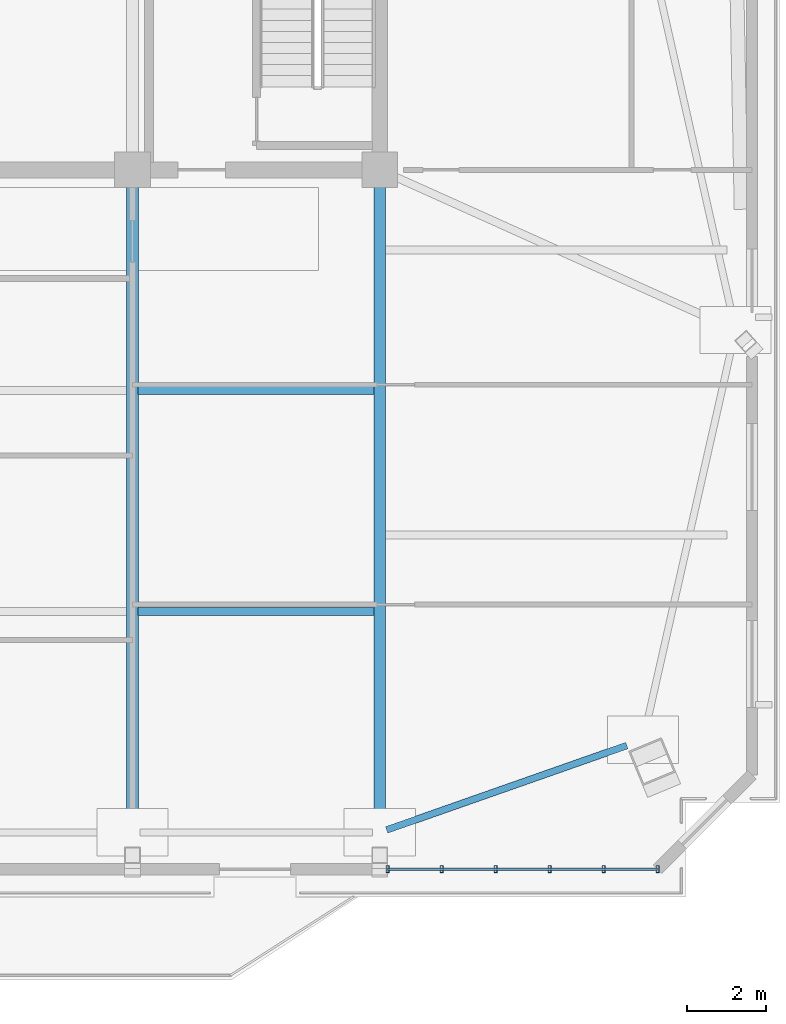
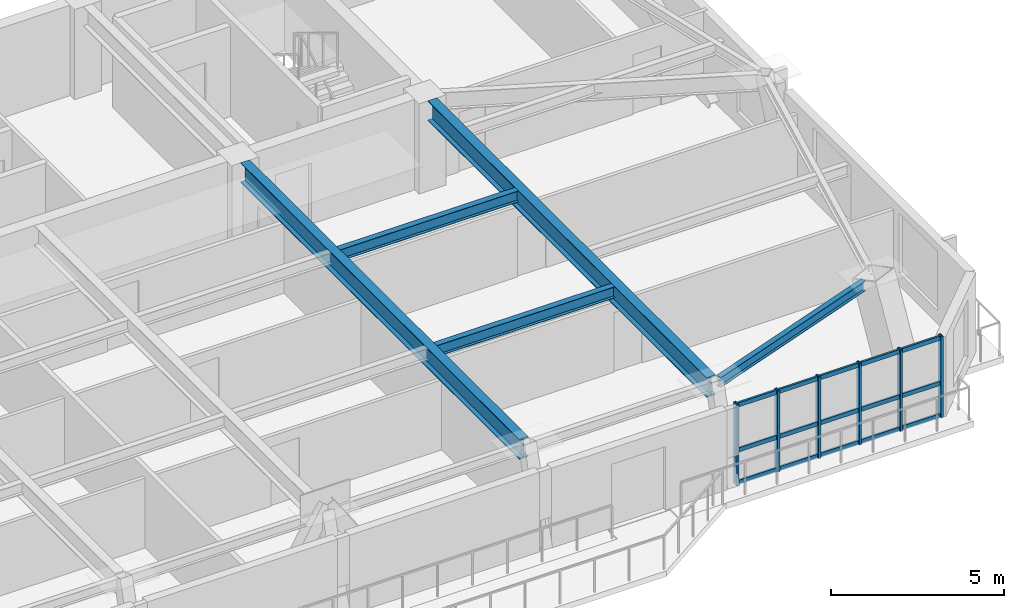
# One storey, part 4 of 14: 9 members, 5 beams, 1 element without a shape of its own.
"""IFC4 building model written with IfcOpenShell, lengths in metres."""

import ifcopenshell
import ifcopenshell.guid

model = None  # the IFC model being written
_history = None  # IfcOwnerHistory: only IFC2X3 demands one
_inside = {}  # id of a spatial element -> (the spatial element, [elements in it])
_under = {}  # id of a project, library or spatial element -> (it, [spatial elements below it])
_declared = {}  # id of a project -> (the project, [libraries it declares])
_typed = {}  # id of a type object -> (the type object, [elements of that type])
_made_of = {}  # id of a material, layer set ... -> (it, [elements and type objects made of it])


def new_model(schema):
    """Start an empty IFC model of exactly this schema.

    Asked for "IFC4X3", IfcOpenShell would pick the latest addendum, in which some entities
    have other attributes; the version numbers below select the first issue.
    IFC2X3 requires an IfcOwnerHistory on every rooted entity: one is made here for all.
    """
    global model, _history
    if schema == "IFC4X3":
        model = ifcopenshell.file(schema_version=(4, 3, 0, 0))
    else:
        model = ifcopenshell.file(schema=schema)
    _inside.clear()
    _under.clear()
    _declared.clear()
    _typed.clear()
    _made_of.clear()
    _history = None
    if model.schema == "IFC2X3":
        org = make("IfcOrganization", Name="unknown")
        user = make(
            "IfcPersonAndOrganization",
            ThePerson=make("IfcPerson", FamilyName="unknown"),
            TheOrganization=org,
        )
        app = make(
            "IfcApplication",
            ApplicationDeveloper=org,
            Version="unknown",
            ApplicationFullName="unknown",
            ApplicationIdentifier="unknown",
        )
        _history = make(
            "IfcOwnerHistory",
            OwningUser=user,
            OwningApplication=app,
            ChangeAction="ADDED",
            CreationDate=0,
        )
    return model


def make(cls, **values):
    """One entity of the class cls with the attributes given. An attribute that is None is left unset."""
    return model.create_entity(
        cls, **{name: value for name, value in values.items() if value is not None}
    )


def rooted(cls, **values):
    """An entity with a GlobalId (a new one), such as an element, a storey or a relation."""
    return make(cls, GlobalId=ifcopenshell.guid.new(), OwnerHistory=_history, **values)


def si_unit(unit_type, name, prefix=None):
    """IfcSIUnit, for example si_unit("LENGTHUNIT", "METRE", prefix="MILLI")."""
    return make("IfcSIUnit", UnitType=unit_type, Prefix=prefix, Name=name)


def assignment(units):
    """IfcUnitAssignment: the units of a project."""
    return None if units is None else make("IfcUnitAssignment", Units=units)


def point(xyz):
    """IfcCartesianPoint."""
    return None if xyz is None else make("IfcCartesianPoint", Coordinates=xyz)


def direction(xyz):
    """IfcDirection."""
    return None if xyz is None else make("IfcDirection", DirectionRatios=xyz)


def frame(location, z_axis=None, x_axis=None):
    """IfcAxis2Placement3D, a coordinate frame: its origin and axes. An axis left out is left unset."""
    return make(
        "IfcAxis2Placement3D",
        Location=point(location),
        Axis=direction(z_axis),
        RefDirection=direction(x_axis),
    )


def frame_2d(location, x_axis=None):
    """IfcAxis2Placement2D, a coordinate frame in the plane: its origin and x axis."""
    return make(
        "IfcAxis2Placement2D", Location=point(location), RefDirection=direction(x_axis)
    )


def origin():
    """The frame at (0, 0, 0) with its axes left unset."""
    return frame((0.0, 0.0, 0.0))


def origin_2d():
    """The frame at (0, 0) in the plane with its x axis left unset."""
    return frame_2d((0.0, 0.0))


def place(relative_to, where):
    """IfcLocalPlacement: puts the frame where relative to a parent placement (None: the world)."""
    return make(
        "IfcLocalPlacement", PlacementRelTo=relative_to, RelativePlacement=where
    )


def context(
    kind, dimensions, precision=None, world=None, true_north=None, identifier=None
):
    """IfcGeometricRepresentationContext, for example the 3D "Model" context."""
    return make(
        "IfcGeometricRepresentationContext",
        ContextIdentifier=identifier,
        ContextType=kind,
        CoordinateSpaceDimension=dimensions,
        Precision=precision,
        WorldCoordinateSystem=world,
        TrueNorth=true_north,
    )


def subcontext(parent, identifier, kind, view, scale=None):
    """IfcGeometricRepresentationSubContext, for example "Body" below "Model"."""
    return make(
        "IfcGeometricRepresentationSubContext",
        ContextIdentifier=identifier,
        ContextType=kind,
        ParentContext=parent,
        TargetScale=scale,
        TargetView=view,
    )


def project(units=None, contexts=None):
    """IfcProject with its units and contexts."""
    return rooted(
        "IfcProject",
        Name="project",
        RepresentationContexts=contexts,
        UnitsInContext=assignment(units),
    )


def spatial(cls, under=None, at=None, **own):
    """A site, building, storey or space (cls), placed at a placement, below another one or the project."""
    s = rooted(cls, ObjectPlacement=at, **own)
    if under is not None:
        _under.setdefault(under.id(), (under, []))[1].append(s)
    return s


def profile(cls, at=None, kind="AREA", **sizes):
    """A parametric profile (cls). Its sizes go by their IFC names, for example OverallWidth=200.0."""
    return make(cls, ProfileType=kind, Position=at, **sizes)


def hollow_rectangle(**sizes):
    """IfcRectangleHollowProfileDef."""
    return profile("IfcRectangleHollowProfileDef", **sizes)


def i_section(**sizes):
    """IfcIShapeProfileDef."""
    return profile("IfcIShapeProfileDef", **sizes)


def extrude(swept, where, along, depth):
    """IfcExtrudedAreaSolid: the profile swept, set in the frame where, extruded along a direction by depth."""
    return make(
        "IfcExtrudedAreaSolid",
        SweptArea=swept,
        Position=where,
        ExtrudedDirection=direction(along),
        Depth=depth,
    )


def shape(context_of_items, identifier, shape_type, items):
    """IfcShapeRepresentation: the items that make up one representation, for example the "Body"."""
    return make(
        "IfcShapeRepresentation",
        ContextOfItems=context_of_items,
        RepresentationIdentifier=identifier,
        RepresentationType=shape_type,
        Items=items,
    )


def source(mapping_origin, context_of_items, identifier, shape_type, items):
    """IfcRepresentationMap: a shape defined once, which mapped items show again and again."""
    return make(
        "IfcRepresentationMap",
        MappingOrigin=mapping_origin,
        MappedRepresentation=shape(context_of_items, identifier, shape_type, items),
    )


def transform(
    local_origin,
    x_axis=None,
    y_axis=None,
    z_axis=None,
    scale=None,
    scale2=None,
    scale3=None,
    uniform=True,
):
    """IfcCartesianTransformationOperator3D, or its non-uniform kind. x_axis, y_axis, z_axis: its Axis1, 2, 3."""
    if uniform:
        return make(
            "IfcCartesianTransformationOperator3D",
            Axis1=direction(x_axis),
            Axis2=direction(y_axis),
            LocalOrigin=point(local_origin),
            Scale=scale,
            Axis3=direction(z_axis),
        )
    return make(
        "IfcCartesianTransformationOperator3DnonUniform",
        Axis1=direction(x_axis),
        Axis2=direction(y_axis),
        LocalOrigin=point(local_origin),
        Scale=scale,
        Axis3=direction(z_axis),
        Scale2=scale2,
        Scale3=scale3,
    )


def mapped(mapping_source, mapping_target):
    """IfcMappedItem: shows the shape of a source again, moved by a transform."""
    return make(
        "IfcMappedItem", MappingSource=mapping_source, MappingTarget=mapping_target
    )


def material(Name=None, Category=None):
    """IfcMaterial."""
    return make("IfcMaterial", Name=Name, Category=Category)


def layer(
    of_material, thickness, ventilated=None, Name=None, Category=None, Priority=None
):
    """IfcMaterialLayer: one layer of a wall or slab, of a material (None: an air gap)."""
    return make(
        "IfcMaterialLayer",
        Material=of_material,
        LayerThickness=thickness,
        IsVentilated=ventilated,
        Name=Name,
        Category=Category,
        Priority=Priority,
    )


def layer_set(layers, Name=None):
    """IfcMaterialLayerSet."""
    return make("IfcMaterialLayerSet", MaterialLayers=layers, LayerSetName=Name)


def material_profile(
    of_material, cross_section, Name=None, Category=None, Priority=None
):
    """IfcMaterialProfile: a cross section and its material."""
    return make(
        "IfcMaterialProfile",
        Name=Name,
        Material=of_material,
        Profile=cross_section,
        Priority=Priority,
        Category=Category,
    )


def profile_set(profiles, Name=None, composite=None):
    """IfcMaterialProfileSet."""
    return make(
        "IfcMaterialProfileSet",
        Name=Name,
        MaterialProfiles=profiles,
        CompositeProfile=composite,
    )


def made_of(thing, what):
    """Note that an element or type object is made of a material, layer set ...; save() writes the relation."""
    if what is not None:
        _made_of.setdefault(what.id(), (what, []))[1].append(thing)
    return thing


def type_object(cls, material=None, **own):
    """A type object (cls), such as IfcWallType, which elements share."""
    return made_of(rooted(cls, **own), material)


def element(
    cls,
    number,
    at=None,
    inside=None,
    cuts=None,
    type_object=None,
    material=None,
    context=None,
    identifier="Body",
    shape_type=None,
    held_by="IfcProductDefinitionShape",
    body=None,
    shapes=None,
    **own,
):
    """One element of the class cls, such as IfcWall. Its Tag is "e" and its number.

    at: its placement. inside: the storey or other place that contains it. cuts: it is an
    opening in that element (IfcRelVoidsElement). A single representation is given by context,
    identifier, shape_type and body (its items); several are given by shapes. held_by: the class
    of the entity that holds the representations. save() writes the other relations.
    """
    e = rooted(cls, Tag="e%d" % number, ObjectPlacement=at, **own)
    if body is not None:
        shapes = [shape(context, identifier, shape_type, body)]
    if shapes is not None:
        e.Representation = make(held_by, Representations=shapes)
    if inside is not None:
        _inside.setdefault(inside.id(), (inside, []))[1].append(e)
    if cuts is not None:
        rooted(
            "IfcRelVoidsElement", RelatingBuildingElement=cuts, RelatedOpeningElement=e
        )
    if type_object is not None:
        _typed.setdefault(type_object.id(), (type_object, []))[1].append(e)
    return made_of(e, material)


def aggregate(whole, parts):
    """IfcRelAggregates: a whole, such as a stair, and the parts it consists of."""
    return rooted("IfcRelAggregates", RelatingObject=whole, RelatedObjects=parts)


def save(model, path):
    """Write the relations noted so far, then the file.

    IfcRelAggregates (storeys below a building ...), IfcRelContainedInSpatialStructure (elements
    in a storey), IfcRelDefinesByType, IfcRelAssociatesMaterial and IfcRelDeclares: one each for
    every whole, place, type object, material and project.
    """
    for whole, parts in _under.values():
        aggregate(whole, parts)
    for where, things in _inside.values():
        rooted(
            "IfcRelContainedInSpatialStructure",
            RelatedElements=things,
            RelatingStructure=where,
        )
    for kind, things in _typed.values():
        rooted("IfcRelDefinesByType", RelatedObjects=things, RelatingType=kind)
    for what, things in _made_of.values():
        rooted("IfcRelAssociatesMaterial", RelatedObjects=things, RelatingMaterial=what)
    for by, libraries in _declared.values():
        rooted("IfcRelDeclares", RelatingContext=by, RelatedDefinitions=libraries)
    model.write(path)


model = new_model("IFC4")

# Units and contexts
model_context = context("Model", 3, precision=1e-05, world=origin(), true_north=direction((0.0, 1.0)))
body_context = subcontext(model_context, "Body", "Model", "MODEL_VIEW")
ifc_project = project(units=[si_unit("LENGTHUNIT", "METRE"), si_unit("AREAUNIT", "SQUARE_METRE"), si_unit("VOLUMEUNIT", "CUBIC_METRE"), si_unit("PLANEANGLEUNIT", "RADIAN"), si_unit("MASSUNIT", "GRAM", prefix="KILO")], contexts=[model_context])

# Site, building, storey
site_placement = place(None, origin())
site = spatial("IfcSite", under=ifc_project, at=site_placement, CompositionType="ELEMENT")
building_placement = place(site_placement, origin())
building = spatial("IfcBuilding", under=site, at=building_placement, Name="Giltprow Tower", CompositionType="ELEMENT")
storey_placement = place(building_placement, frame((0.0, 0.0, 310.800048828125)))
storey = spatial("IfcBuildingStorey", under=building, at=storey_placement, Name="L80", CompositionType="ELEMENT", Elevation=310.800048828125)

# Beams
ifc_material_1 = material(Name="Structural steel Q355B", Category="steel")
ifc_material_profile_1 = material_profile(ifc_material_1, i_section(OverallWidth=0.199951171875, OverallDepth=0.39990234375, WebThickness=0.008056640625, FlangeThickness=0.012939453125, at=origin_2d()), Name="HN 400x200x8x13")
ifc_profile_set_1 = profile_set([ifc_material_profile_1], Name="Structural steel Q355B")
beam_type_1 = type_object("IfcBeamType", Name="BM-JOIST-HN400", PredefinedType="JOIST", material=ifc_profile_set_1)
shared_shape_1 = source(origin(), body_context, "Body", "SweptSolid", [
    extrude(i_section(OverallWidth=0.199951171875, OverallDepth=0.39990234375, WebThickness=0.008056640625, FlangeThickness=0.012939453125, at=origin_2d()), origin(), (0.0, 0.0, 1.0), 5.9599609375),
])
for number, where, z_axis, x_axis, name in (
    (1, (44.445068359375, 26.285888671875, 2.98486328125), (1.0, 0.0, 0.0), (0.0, 1.0, 0.0), "L80 Composite Floor Joist 1-4"),
    (2, (44.445068359375, 31.867919921875, 2.98486328125), (1.0, 0.0, 0.0), (0.0, 1.0, 0.0), "L80 Composite Floor Joist 2-4"),
):
    element("IfcBeam", number, at=place(storey_placement, frame(where, z_axis=z_axis, x_axis=x_axis)), inside=storey, type_object=beam_type_1, Name=name, PredefinedType="JOIST", context=body_context, shape_type="MappedRepresentation", body=[
        mapped(shared_shape_1, transform((0.0, 0.0, 0.0), x_axis=(1.0, 0.0, 0.0), y_axis=(0.0, 1.0, 0.0), z_axis=(0.0, 0.0, 1.0), scale=1.0)),
    ])
ifc_material_profile_2 = material_profile(ifc_material_1, i_section(OverallWidth=0.175048828125, OverallDepth=0.35009765625, WebThickness=0.007080078125, FlangeThickness=0.010986328125, at=origin_2d()), Name="HN 350x175x7x11")
ifc_profile_set_2 = profile_set([ifc_material_profile_2], Name="Structural steel Q355B")
beam_type_2 = type_object("IfcBeamType", Name="BM-SPAN-HN350", PredefinedType="SPANDREL", material=ifc_profile_set_2)
shared_shape_2 = source(origin(), body_context, "Body", "SweptSolid", [
    extrude(i_section(OverallWidth=0.175048828125, OverallDepth=0.35009765625, WebThickness=0.007080078125, FlangeThickness=0.010986328125, at=origin_2d()), origin(), (0.0, 0.0, 1.0), 6.436767578125),
])
beam_placement = place(storey_placement, frame((50.72509765625, 20.764892578125, 3.010009765625), z_axis=(0.943494118262, 0.331389270804, 0.0), x_axis=(-0.331389270804, 0.943494118262, 0.0)))
element("IfcBeam", 3, at=beam_placement, inside=storey, type_object=beam_type_2, Name="L80 Perimeter Spandrel Beam S4-MC_SE", PredefinedType="SPANDREL", context=body_context, shape_type="MappedRepresentation", body=[
    mapped(shared_shape_2, transform((0.0, 0.0, 0.0), x_axis=(1.0, 0.0, 0.0), y_axis=(0.0, 1.0, 0.0), z_axis=(0.0, 0.0, 1.0), scale=1.0)),
])
ifc_material_profile_3 = material_profile(ifc_material_1, i_section(OverallWidth=0.300048828125, OverallDepth=0.699951171875, WebThickness=0.012939453125, FlangeThickness=0.02392578125, at=origin_2d()), Name="HN 700x300x13x24")
ifc_profile_set_3 = profile_set([ifc_material_profile_3], Name="Structural steel Q355B")
beam_type_3 = type_object("IfcBeamType", Name="BM-GIRD-HN700", PredefinedType="BEAM", material=ifc_profile_set_3)
shared_shape_3 = source(origin(), body_context, "Body", "SweptSolid", [
    extrude(i_section(OverallWidth=0.300048828125, OverallDepth=0.699951171875, WebThickness=0.012939453125, FlangeThickness=0.02392578125, at=origin_2d()), origin(), (0.0, 0.0, 1.0), 16.1259765625),
])
for number, where, z_axis, x_axis, name in (
    (4, (44.300048828125, 20.888916015625, 2.8349609375), (0.0, 1.0, 0.0), (-1.0, 0.0, 0.0), "L80 Primary Lease Girder S3"),
    (5, (50.550048828125, 20.888916015625, 2.8349609375), (0.0, 1.0, 0.0), (-1.0, 0.0, 0.0), "L80 Primary Lease Girder S4"),
):
    element("IfcBeam", number, at=place(storey_placement, frame(where, z_axis=z_axis, x_axis=x_axis)), inside=storey, type_object=beam_type_3, Name=name, PredefinedType="BEAM", context=body_context, shape_type="MappedRepresentation", body=[
        mapped(shared_shape_3, transform((0.0, 0.0, 0.0), x_axis=(1.0, 0.0, 0.0), y_axis=(0.0, 1.0, 0.0), z_axis=(0.0, 0.0, 1.0), scale=1.0)),
    ])

# Curtain wall, members
ifc_material_2 = material(Name="Anodized bronze", Category="metal")
ifc_layer = layer(ifc_material_2, 0.179931640625, Name="Anodized bronze")
ifc_layer_set = layer_set([ifc_layer], Name="Anodized bronze")
curtain_wall_type = type_object("IfcCurtainWallType", Name="CW-RES-SKY", PredefinedType="NOTDEFINED", material=ifc_layer_set)
curtain_wall_placement = place(storey_placement, origin())
curtain_wall = element("IfcCurtainWall", 6, at=curtain_wall_placement, inside=storey, type_object=curtain_wall_type, Name="L80 South Recessed Curtain Wall 6", PredefinedType="NOTDEFINED")
ifc_material_profile_4 = material_profile(ifc_material_2, hollow_rectangle(XDim=0.074951171875, YDim=0.179931640625, WallThickness=0.008056640625, at=origin_2d()), Name="RHS 180x75x8")
ifc_profile_set_4 = profile_set([ifc_material_profile_4], Name="Anodized bronze")
member_type_1 = type_object("IfcMemberType", Name="CW-MULLION-180x75", PredefinedType="MULLION", material=ifc_profile_set_4)
shared_shape_4 = source(origin(), body_context, "Body", "SweptSolid", [
    extrude(hollow_rectangle(XDim=0.074951171875, YDim=0.179931640625, WallThickness=0.008056640625, at=origin_2d()), origin(), (0.0, 0.0, 1.0), 2.869873046875),
])
member_1_placement = place(storey_placement, frame((50.75, 19.77197265625, -0.02001953125), z_axis=(0.0, 0.0, 1.0), x_axis=(1.0, 0.0, 0.0)))
member_1 = element("IfcMember", 7, at=member_1_placement, type_object=member_type_1, Name="L80 South Recessed Curtain Wall 6 Mullion 1", PredefinedType="MULLION", context=body_context, shape_type="MappedRepresentation", body=[
    mapped(shared_shape_4, transform((0.0, 0.0, 0.0), x_axis=(1.0, 0.0, 0.0), y_axis=(0.0, 1.0, 0.0), z_axis=(0.0, 0.0, 1.0), scale=1.0)),
])
member_2_placement = place(storey_placement, frame((52.114990234375, 19.77197265625, -0.02001953125), z_axis=(0.0, 0.0, 1.0), x_axis=(1.0, 0.0, 0.0)))
member_2 = element("IfcMember", 8, at=member_2_placement, type_object=member_type_1, Name="L80 South Recessed Curtain Wall 6 Mullion 2", PredefinedType="MULLION", context=body_context, shape_type="MappedRepresentation", body=[
    mapped(shared_shape_4, transform((0.0, 0.0, 0.0), x_axis=(1.0, 0.0, 0.0), y_axis=(0.0, 1.0, 0.0), z_axis=(0.0, 0.0, 1.0), scale=1.0)),
])
member_3_placement = place(storey_placement, frame((53.47998046875, 19.77197265625, -0.02001953125), z_axis=(0.0, 0.0, 1.0), x_axis=(1.0, 0.0, 0.0)))
member_3 = element("IfcMember", 9, at=member_3_placement, type_object=member_type_1, Name="L80 South Recessed Curtain Wall 6 Mullion 3", PredefinedType="MULLION", context=body_context, shape_type="MappedRepresentation", body=[
    mapped(shared_shape_4, transform((0.0, 0.0, 0.0), x_axis=(1.0, 0.0, 0.0), y_axis=(0.0, 1.0, 0.0), z_axis=(0.0, 0.0, 1.0), scale=1.0)),
])
member_4_placement = place(storey_placement, frame((54.844970703125, 19.77197265625, -0.02001953125), z_axis=(0.0, 0.0, 1.0), x_axis=(1.0, 0.0, 0.0)))
member_4 = element("IfcMember", 10, at=member_4_placement, type_object=member_type_1, Name="L80 South Recessed Curtain Wall 6 Mullion 4", PredefinedType="MULLION", context=body_context, shape_type="MappedRepresentation", body=[
    mapped(shared_shape_4, transform((0.0, 0.0, 0.0), x_axis=(1.0, 0.0, 0.0), y_axis=(0.0, 1.0, 0.0), z_axis=(0.0, 0.0, 1.0), scale=1.0)),
])
member_5_placement = place(storey_placement, frame((56.2099609375, 19.77197265625, -0.02001953125), z_axis=(0.0, 0.0, 1.0), x_axis=(1.0, 0.0, 0.0)))
member_5 = element("IfcMember", 11, at=member_5_placement, type_object=member_type_1, Name="L80 South Recessed Curtain Wall 6 Mullion 5", PredefinedType="MULLION", context=body_context, shape_type="MappedRepresentation", body=[
    mapped(shared_shape_4, transform((0.0, 0.0, 0.0), x_axis=(1.0, 0.0, 0.0), y_axis=(0.0, 1.0, 0.0), z_axis=(0.0, 0.0, 1.0), scale=1.0)),
])
member_6_placement = place(storey_placement, frame((57.574951171875, 19.77197265625, -0.02001953125), z_axis=(0.0, 0.0, 1.0), x_axis=(1.0, 0.0, 0.0)))
member_6 = element("IfcMember", 12, at=member_6_placement, type_object=member_type_1, Name="L80 South Recessed Curtain Wall 6 Mullion 6", PredefinedType="MULLION", context=body_context, shape_type="MappedRepresentation", body=[
    mapped(shared_shape_4, transform((0.0, 0.0, 0.0), x_axis=(1.0, 0.0, 0.0), y_axis=(0.0, 1.0, 0.0), z_axis=(0.0, 0.0, 1.0), scale=1.0)),
])
ifc_material_profile_5 = material_profile(ifc_material_2, hollow_rectangle(XDim=0.06494140625, YDim=0.14990234375, WallThickness=0.006103515625, at=origin_2d()), Name="RHS 150x65x6")
ifc_profile_set_5 = profile_set([ifc_material_profile_5], Name="Anodized bronze")
member_type_2 = type_object("IfcMemberType", Name="CW-TRANSOM-150x65", PredefinedType="USERDEFINED", material=ifc_profile_set_5)
shared_shape_5 = source(origin(), body_context, "Body", "SweptSolid", [
    extrude(hollow_rectangle(XDim=0.06494140625, YDim=0.14990234375, WallThickness=0.006103515625, at=origin_2d()), origin(), (0.0, 0.0, 1.0), 6.824951171875),
])
member_7_placement = place(storey_placement, frame((50.75, 19.77197265625, 0.0400390625), z_axis=(1.0, 0.0, 0.0), x_axis=(0.0, 1.0, 0.0)))
member_7 = element("IfcMember", 13, at=member_7_placement, type_object=member_type_2, Name="L80 South Recessed Curtain Wall 6 Transom 1", ObjectType="TRANSOM", PredefinedType="USERDEFINED", context=body_context, shape_type="MappedRepresentation", body=[
    mapped(shared_shape_5, transform((0.0, 0.0, 0.0), x_axis=(1.0, 0.0, 0.0), y_axis=(0.0, 1.0, 0.0), z_axis=(0.0, 0.0, 1.0), scale=1.0)),
])
member_8_placement = place(storey_placement, frame((50.75, 19.77197265625, 1.181884765625), z_axis=(1.0, 0.0, 0.0), x_axis=(0.0, 1.0, 0.0)))
member_8 = element("IfcMember", 14, at=member_8_placement, type_object=member_type_2, Name="L80 South Recessed Curtain Wall 6 Transom 2", ObjectType="TRANSOM", PredefinedType="USERDEFINED", context=body_context, shape_type="MappedRepresentation", body=[
    mapped(shared_shape_5, transform((0.0, 0.0, 0.0), x_axis=(1.0, 0.0, 0.0), y_axis=(0.0, 1.0, 0.0), z_axis=(0.0, 0.0, 1.0), scale=1.0)),
])
member_9_placement = place(storey_placement, frame((50.75, 19.77197265625, 2.77490234375), z_axis=(1.0, 0.0, 0.0), x_axis=(0.0, 1.0, 0.0)))
member_9 = element("IfcMember", 15, at=member_9_placement, type_object=member_type_2, Name="L80 South Recessed Curtain Wall 6 Transom 3", ObjectType="TRANSOM", PredefinedType="USERDEFINED", context=body_context, shape_type="MappedRepresentation", body=[
    mapped(shared_shape_5, transform((0.0, 0.0, 0.0), x_axis=(1.0, 0.0, 0.0), y_axis=(0.0, 1.0, 0.0), z_axis=(0.0, 0.0, 1.0), scale=1.0)),
])
aggregate(curtain_wall, [member_1, member_2, member_3, member_4, member_5, member_6, member_7, member_8, member_9])

save(model, "model.ifc")
